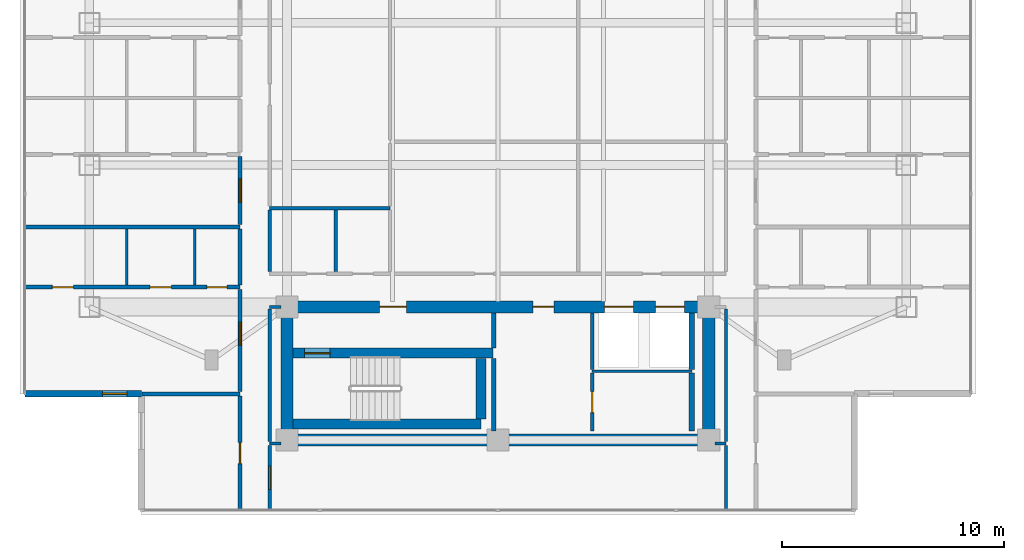
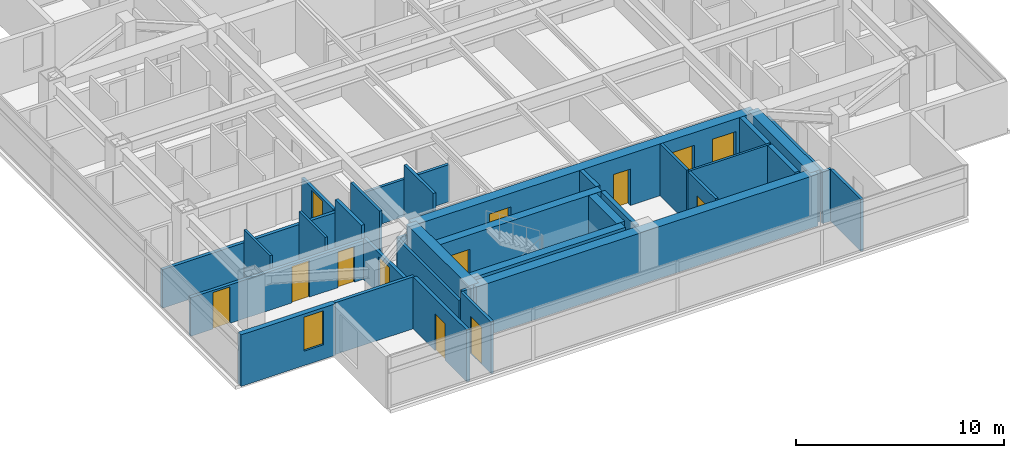
# One storey, part 12 of 25: 34 walls, 13 doors, 1 window, 14 openings.
"""IFC4 building model written with IfcOpenShell, lengths in metres."""

import ifcopenshell
import ifcopenshell.guid

model = None  # the IFC model being written
_history = None  # IfcOwnerHistory: only IFC2X3 demands one
_inside = {}  # id of a spatial element -> (the spatial element, [elements in it])
_under = {}  # id of a project, library or spatial element -> (it, [spatial elements below it])
_declared = {}  # id of a project -> (the project, [libraries it declares])
_typed = {}  # id of a type object -> (the type object, [elements of that type])
_made_of = {}  # id of a material, layer set ... -> (it, [elements and type objects made of it])


def new_model(schema):
    """Start an empty IFC model of exactly this schema.

    Asked for "IFC4X3", IfcOpenShell would pick the latest addendum, in which some entities
    have other attributes; the version numbers below select the first issue.
    IFC2X3 requires an IfcOwnerHistory on every rooted entity: one is made here for all.
    """
    global model, _history
    if schema == "IFC4X3":
        model = ifcopenshell.file(schema_version=(4, 3, 0, 0))
    else:
        model = ifcopenshell.file(schema=schema)
    _inside.clear()
    _under.clear()
    _declared.clear()
    _typed.clear()
    _made_of.clear()
    _history = None
    if model.schema == "IFC2X3":
        org = make("IfcOrganization", Name="unknown")
        user = make(
            "IfcPersonAndOrganization",
            ThePerson=make("IfcPerson", FamilyName="unknown"),
            TheOrganization=org,
        )
        app = make(
            "IfcApplication",
            ApplicationDeveloper=org,
            Version="unknown",
            ApplicationFullName="unknown",
            ApplicationIdentifier="unknown",
        )
        _history = make(
            "IfcOwnerHistory",
            OwningUser=user,
            OwningApplication=app,
            ChangeAction="ADDED",
            CreationDate=0,
        )
    return model


def make(cls, **values):
    """One entity of the class cls with the attributes given. An attribute that is None is left unset."""
    return model.create_entity(
        cls, **{name: value for name, value in values.items() if value is not None}
    )


def rooted(cls, **values):
    """An entity with a GlobalId (a new one), such as an element, a storey or a relation."""
    return make(cls, GlobalId=ifcopenshell.guid.new(), OwnerHistory=_history, **values)


def si_unit(unit_type, name, prefix=None):
    """IfcSIUnit, for example si_unit("LENGTHUNIT", "METRE", prefix="MILLI")."""
    return make("IfcSIUnit", UnitType=unit_type, Prefix=prefix, Name=name)


def assignment(units):
    """IfcUnitAssignment: the units of a project."""
    return None if units is None else make("IfcUnitAssignment", Units=units)


def point(xyz):
    """IfcCartesianPoint."""
    return None if xyz is None else make("IfcCartesianPoint", Coordinates=xyz)


def direction(xyz):
    """IfcDirection."""
    return None if xyz is None else make("IfcDirection", DirectionRatios=xyz)


def frame(location, z_axis=None, x_axis=None):
    """IfcAxis2Placement3D, a coordinate frame: its origin and axes. An axis left out is left unset."""
    return make(
        "IfcAxis2Placement3D",
        Location=point(location),
        Axis=direction(z_axis),
        RefDirection=direction(x_axis),
    )


def frame_2d(location, x_axis=None):
    """IfcAxis2Placement2D, a coordinate frame in the plane: its origin and x axis."""
    return make(
        "IfcAxis2Placement2D", Location=point(location), RefDirection=direction(x_axis)
    )


def origin():
    """The frame at (0, 0, 0) with its axes left unset."""
    return frame((0.0, 0.0, 0.0))


def place(relative_to, where):
    """IfcLocalPlacement: puts the frame where relative to a parent placement (None: the world)."""
    return make(
        "IfcLocalPlacement", PlacementRelTo=relative_to, RelativePlacement=where
    )


def context(
    kind, dimensions, precision=None, world=None, true_north=None, identifier=None
):
    """IfcGeometricRepresentationContext, for example the 3D "Model" context."""
    return make(
        "IfcGeometricRepresentationContext",
        ContextIdentifier=identifier,
        ContextType=kind,
        CoordinateSpaceDimension=dimensions,
        Precision=precision,
        WorldCoordinateSystem=world,
        TrueNorth=true_north,
    )


def subcontext(parent, identifier, kind, view, scale=None):
    """IfcGeometricRepresentationSubContext, for example "Body" below "Model"."""
    return make(
        "IfcGeometricRepresentationSubContext",
        ContextIdentifier=identifier,
        ContextType=kind,
        ParentContext=parent,
        TargetScale=scale,
        TargetView=view,
    )


def project(units=None, contexts=None):
    """IfcProject with its units and contexts."""
    return rooted(
        "IfcProject",
        Name="project",
        RepresentationContexts=contexts,
        UnitsInContext=assignment(units),
    )


def spatial(cls, under=None, at=None, **own):
    """A site, building, storey or space (cls), placed at a placement, below another one or the project."""
    s = rooted(cls, ObjectPlacement=at, **own)
    if under is not None:
        _under.setdefault(under.id(), (under, []))[1].append(s)
    return s


def profile(cls, at=None, kind="AREA", **sizes):
    """A parametric profile (cls). Its sizes go by their IFC names, for example OverallWidth=200.0."""
    return make(cls, ProfileType=kind, Position=at, **sizes)


def rectangle(**sizes):
    """IfcRectangleProfileDef."""
    return profile("IfcRectangleProfileDef", **sizes)


def extrude(swept, where, along, depth):
    """IfcExtrudedAreaSolid: the profile swept, set in the frame where, extruded along a direction by depth."""
    return make(
        "IfcExtrudedAreaSolid",
        SweptArea=swept,
        Position=where,
        ExtrudedDirection=direction(along),
        Depth=depth,
    )


def shape(context_of_items, identifier, shape_type, items):
    """IfcShapeRepresentation: the items that make up one representation, for example the "Body"."""
    return make(
        "IfcShapeRepresentation",
        ContextOfItems=context_of_items,
        RepresentationIdentifier=identifier,
        RepresentationType=shape_type,
        Items=items,
    )


def material(Name=None, Category=None):
    """IfcMaterial."""
    return make("IfcMaterial", Name=Name, Category=Category)


def layer(
    of_material, thickness, ventilated=None, Name=None, Category=None, Priority=None
):
    """IfcMaterialLayer: one layer of a wall or slab, of a material (None: an air gap)."""
    return make(
        "IfcMaterialLayer",
        Material=of_material,
        LayerThickness=thickness,
        IsVentilated=ventilated,
        Name=Name,
        Category=Category,
        Priority=Priority,
    )


def layer_set(layers, Name=None):
    """IfcMaterialLayerSet."""
    return make("IfcMaterialLayerSet", MaterialLayers=layers, LayerSetName=Name)


def made_of(thing, what):
    """Note that an element or type object is made of a material, layer set ...; save() writes the relation."""
    if what is not None:
        _made_of.setdefault(what.id(), (what, []))[1].append(thing)
    return thing


def type_object(cls, material=None, **own):
    """A type object (cls), such as IfcWallType, which elements share."""
    return made_of(rooted(cls, **own), material)


def element(
    cls,
    number,
    at=None,
    inside=None,
    cuts=None,
    type_object=None,
    material=None,
    context=None,
    identifier="Body",
    shape_type=None,
    held_by="IfcProductDefinitionShape",
    body=None,
    shapes=None,
    **own,
):
    """One element of the class cls, such as IfcWall. Its Tag is "e" and its number.

    at: its placement. inside: the storey or other place that contains it. cuts: it is an
    opening in that element (IfcRelVoidsElement). A single representation is given by context,
    identifier, shape_type and body (its items); several are given by shapes. held_by: the class
    of the entity that holds the representations. save() writes the other relations.
    """
    e = rooted(cls, Tag="e%d" % number, ObjectPlacement=at, **own)
    if body is not None:
        shapes = [shape(context, identifier, shape_type, body)]
    if shapes is not None:
        e.Representation = make(held_by, Representations=shapes)
    if inside is not None:
        _inside.setdefault(inside.id(), (inside, []))[1].append(e)
    if cuts is not None:
        rooted(
            "IfcRelVoidsElement", RelatingBuildingElement=cuts, RelatedOpeningElement=e
        )
    if type_object is not None:
        _typed.setdefault(type_object.id(), (type_object, []))[1].append(e)
    return made_of(e, material)


def fill(opening, filler):
    """IfcRelFillsElement: the door or window that sits in an opening."""
    return rooted(
        "IfcRelFillsElement",
        RelatingOpeningElement=opening,
        RelatedBuildingElement=filler,
    )


def aggregate(whole, parts):
    """IfcRelAggregates: a whole, such as a stair, and the parts it consists of."""
    return rooted("IfcRelAggregates", RelatingObject=whole, RelatedObjects=parts)


def save(model, path):
    """Write the relations noted so far, then the file.

    IfcRelAggregates (storeys below a building ...), IfcRelContainedInSpatialStructure (elements
    in a storey), IfcRelDefinesByType, IfcRelAssociatesMaterial and IfcRelDeclares: one each for
    every whole, place, type object, material and project.
    """
    for whole, parts in _under.values():
        aggregate(whole, parts)
    for where, things in _inside.values():
        rooted(
            "IfcRelContainedInSpatialStructure",
            RelatedElements=things,
            RelatingStructure=where,
        )
    for kind, things in _typed.values():
        rooted("IfcRelDefinesByType", RelatedObjects=things, RelatingType=kind)
    for what, things in _made_of.values():
        rooted("IfcRelAssociatesMaterial", RelatedObjects=things, RelatingMaterial=what)
    for by, libraries in _declared.values():
        rooted("IfcRelDeclares", RelatingContext=by, RelatedDefinitions=libraries)
    model.write(path)


model = new_model("IFC4")

# Units and contexts
model_context = context("Model", 3, precision=1e-05, world=origin(), true_north=direction((0.0, 1.0)))
body_context = subcontext(model_context, "Body", "Model", "MODEL_VIEW")
ifc_project = project(units=[si_unit("LENGTHUNIT", "METRE"), si_unit("AREAUNIT", "SQUARE_METRE"), si_unit("VOLUMEUNIT", "CUBIC_METRE"), si_unit("PLANEANGLEUNIT", "RADIAN"), si_unit("MASSUNIT", "GRAM", prefix="KILO")], contexts=[model_context])

# Site, building, storey
site_placement = place(None, origin())
site = spatial("IfcSite", under=ifc_project, at=site_placement, CompositionType="ELEMENT")
building_placement = place(site_placement, origin())
building = spatial("IfcBuilding", under=site, at=building_placement, Name="Mirazonda Arch Towers", CompositionType="ELEMENT")
storey_placement = place(building_placement, frame((0.0, 0.0, 173.89990234375)))
storey = spatial("IfcBuildingStorey", under=building, at=storey_placement, Name="L49", CompositionType="ELEMENT", Elevation=173.89990234375)

# Wall
ifc_material_1 = material(Name="Concrete C50/60", Category="concrete")
ifc_layer_1 = layer(ifc_material_1, 0.449951171875, Name="WALL-CORE-450")
ifc_layer_set_1 = layer_set([ifc_layer_1], Name="Concrete C50/60")
wall_type_1 = type_object("IfcWallType", Name="WALL-CORE-450", PredefinedType="SHEAR", material=ifc_layer_set_1)
wall_1_placement = place(storey_placement, frame((11.27001953125, 13.1201171875, 0.0), z_axis=(0.0, 0.0, 1.0), x_axis=(1.0, 0.0, 0.0)))
element("IfcWall", 1, at=wall_1_placement, inside=storey, type_object=wall_type_1, Name="L49 Stair Core Shear Wall 003", PredefinedType="SHEAR", context=body_context, shape_type="SweptSolid", body=[
    extrude(rectangle(XDim=8.4599609375, YDim=0.449951171875, at=frame_2d((4.22998046875, 0.0))), origin(), (0.0, 0.0, 1.0), 3.050048828125),
])

# Wall, opening, door
wall_2_placement = place(storey_placement, frame((11.27001953125, 16.320068359375, 0.0), z_axis=(0.0, 0.0, 1.0), x_axis=(1.0, 0.0, 0.0)))
wall_2 = element("IfcWall", 2, at=wall_2_placement, inside=storey, type_object=wall_type_1, Name="L49 Stair Core Shear Wall 007", PredefinedType="SHEAR", context=body_context, shape_type="SweptSolid", body=[
    extrude(rectangle(XDim=9.010009765625, YDim=0.449951171875, at=frame_2d((4.5048828125, 0.0))), origin(), (0.0, 0.0, 1.0), 3.050048828125),
])
opening_1_placement = place(wall_2_placement, frame((0.52001953125, 0.0, 0.0)))
opening_1 = element("IfcOpeningElement", 3, at=opening_1_placement, cuts=wall_2, Name="Opening DR-135", PredefinedType="OPENING", context=body_context, shape_type="SweptSolid", body=[
    extrude(rectangle(XDim=1.14990234375, YDim=2.199951171875, at=frame_2d((0.574951171875, 1.10009765625))), frame((0.0, 0.23486328125, 0.0), z_axis=(0.0, -1.0, 0.0), x_axis=(1.0, 0.0, 0.0)), (0.0, 0.0, 1.0), 0.469970703125),
])
ifc_material_2 = material(Name="Architectural Brushed Steel S355", Category="steel")
door_type_1 = type_object("IfcDoorType", Name="DOOR-STAIR-FD90-1150", OperationType="NOTDEFINED", PredefinedType="DOOR", material=ifc_material_2)
door_1_placement = place(opening_1_placement, origin())
door_1 = element("IfcDoor", 4, at=door_1_placement, inside=storey, type_object=door_type_1, Name="L49 Protected Exit Stair South Door", OperationType="SINGLE_SWING_LEFT", OverallHeight=2.199951171875, OverallWidth=1.14990234375, PredefinedType="DOOR", context=body_context, shape_type="SweptSolid", body=[
    extrude(rectangle(XDim=1.14990234375, YDim=2.199951171875, at=frame_2d((0.574951171875, 1.10009765625))), frame((0.0, 0.02490234375, 0.0), z_axis=(0.0, -1.0, 0.0), x_axis=(1.0, 0.0, 0.0)), (0.0, 0.0, 1.0), 0.050048828125),
])
fill(opening_1, door_1)

# Walls
wall_3_placement = place(storey_placement, frame((19.72998046875, 13.35498046875, 0.0), z_axis=(0.0, 0.0, 1.0), x_axis=(0.0, 1.0, 0.0)))
element("IfcWall", 5, at=wall_3_placement, inside=storey, type_object=wall_type_1, Name="L49 Stair Core Shear Wall 095", PredefinedType="SHEAR", context=body_context, shape_type="SweptSolid", body=[
    extrude(rectangle(XDim=2.72998046875, YDim=0.449951171875, at=frame_2d((1.364990234375, 0.0))), origin(), (0.0, 0.0, 1.0), 3.050048828125),
])
ifc_layer_2 = layer(ifc_material_1, 0.550048828125, Name="WALL-CORE-550")
ifc_layer_set_2 = layer_set([ifc_layer_2], Name="Concrete C50/60")
wall_type_2 = type_object("IfcWallType", Name="WALL-CORE-550", PredefinedType="SHEAR", material=ifc_layer_set_2)
wall_4_placement = place(storey_placement, frame((11.0, 12.39990234375, 0.0), z_axis=(0.0, 0.0, 1.0), x_axis=(1.0, 0.0, 0.0)))
element("IfcWall", 6, at=wall_4_placement, inside=storey, type_object=wall_type_2, Name="L49 T1S-S Core Shear Wall", PredefinedType="SHEAR", context=body_context, shape_type="SweptSolid", body=[
    extrude(rectangle(XDim=19.0, YDim=0.550048828125, at=frame_2d((9.5, 0.0))), origin(), (0.0, 0.0, 1.0), 3.050048828125),
])
for number, where, z_axis, x_axis, name in (
    (7, (11.0, 12.39990234375, 0.0), (0.0, 0.0, 1.0), (0.0, 1.0, 0.0), "L49 T1S-W Core Shear Wall"),
    (8, (30.0, 12.39990234375, 0.0), (0.0, 0.0, 1.0), (0.0, 1.0, 0.0), "L49 T1S-E Core Shear Wall"),
):
    element("IfcWall", number, at=place(storey_placement, frame(where, z_axis=z_axis, x_axis=x_axis)), inside=storey, type_object=wall_type_2, Name=name, PredefinedType="SHEAR", context=body_context, shape_type="SweptSolid", body=[
        extrude(rectangle(XDim=6.0, YDim=0.550048828125, at=frame_2d((3.0, 0.0))), origin(), (0.0, 0.0, 1.0), 3.050048828125),
    ])

# Wall, openings, doors
wall_5_placement = place(storey_placement, frame((11.0, 18.39990234375, 0.0), z_axis=(0.0, 0.0, 1.0), x_axis=(1.0, 0.0, 0.0)))
wall_5 = element("IfcWall", 9, at=wall_5_placement, inside=storey, type_object=wall_type_2, Name="L49 T1S-N Core Shear Wall", PredefinedType="SHEAR", context=body_context, shape_type="SweptSolid", body=[
    extrude(rectangle(XDim=19.0, YDim=0.550048828125, at=frame_2d((9.5, 0.0))), origin(), (0.0, 0.0, 1.0), 3.050048828125),
])
opening_2_placement = place(wall_5_placement, frame((4.175048828125, 0.0, 0.0)))
opening_2 = element("IfcOpeningElement", 10, at=opening_2_placement, cuts=wall_5, Name="Opening DR-117", PredefinedType="OPENING", context=body_context, shape_type="SweptSolid", body=[
    extrude(rectangle(XDim=1.199951171875, YDim=2.25, at=frame_2d((0.60009765625, 1.125))), frame((0.0, 0.284912109375, 0.0), z_axis=(0.0, -1.0, 0.0), x_axis=(1.0, 0.0, 0.0)), (0.0, 0.0, 1.0), 0.570068359375),
])
opening_3_placement = place(wall_5_placement, frame((11.074951171875, 0.0, 0.0)))
opening_3 = element("IfcOpeningElement", 11, at=opening_3_placement, cuts=wall_5, Name="Opening DR-104", PredefinedType="OPENING", context=body_context, shape_type="SweptSolid", body=[
    extrude(rectangle(XDim=0.949951171875, YDim=2.14990234375, at=frame_2d((0.47509765625, 1.074951171875))), frame((0.0, 0.284912109375, 0.0), z_axis=(0.0, -1.0, 0.0), x_axis=(1.0, 0.0, 0.0)), (0.0, 0.0, 1.0), 0.570068359375),
])
opening_4_placement = place(wall_5_placement, frame((14.300048828125, 0.0, 0.0)))
opening_4 = element("IfcOpeningElement", 12, at=opening_4_placement, cuts=wall_5, Name="Opening LD-111", PredefinedType="OPENING", context=body_context, shape_type="SweptSolid", body=[
    extrude(rectangle(XDim=1.300048828125, YDim=2.300048828125, at=frame_2d((0.64990234375, 1.14990234375))), frame((0.0, 0.284912109375, 0.0), z_axis=(0.0, -1.0, 0.0), x_axis=(1.0, 0.0, 0.0)), (0.0, 0.0, 1.0), 0.570068359375),
])
opening_5_placement = place(wall_5_placement, frame((16.60009765625, 0.0, 0.0)))
opening_5 = element("IfcOpeningElement", 13, at=opening_5_placement, cuts=wall_5, Name="Opening LD-111", PredefinedType="OPENING", context=body_context, shape_type="SweptSolid", body=[
    extrude(rectangle(XDim=1.300048828125, YDim=2.300048828125, at=frame_2d((0.64990234375, 1.14990234375))), frame((0.0, 0.284912109375, 0.0), z_axis=(0.0, -1.0, 0.0), x_axis=(1.0, 0.0, 0.0)), (0.0, 0.0, 1.0), 0.570068359375),
])
door_type_2 = type_object("IfcDoorType", Name="DOOR-FFL-FD90-1200", OperationType="NOTDEFINED", PredefinedType="DOOR", material=ifc_material_2)
door_2_placement = place(opening_2_placement, origin())
door_2 = element("IfcDoor", 14, at=door_2_placement, inside=storey, type_object=door_type_2, Name="L49 South Core Stair & Lift Lobby Door", OperationType="SINGLE_SWING_RIGHT", OverallHeight=2.25, OverallWidth=1.199951171875, PredefinedType="DOOR", context=body_context, shape_type="SweptSolid", body=[
    extrude(rectangle(XDim=1.199951171875, YDim=2.25, at=frame_2d((0.60009765625, 1.125))), frame((0.0, 0.02490234375, 0.0), z_axis=(0.0, -1.0, 0.0), x_axis=(1.0, 0.0, 0.0)), (0.0, 0.0, 1.0), 0.050048828125),
])
fill(opening_2, door_2)
door_type_3 = type_object("IfcDoorType", Name="DOOR-LIFT-LAND-1300", OperationType="NOTDEFINED", PredefinedType="DOOR", material=ifc_material_2)
door_3_placement = place(opening_4_placement, origin())
door_3 = element("IfcDoor", 15, at=door_3_placement, inside=storey, type_object=door_type_3, Name="L49 Lift Landing Sliding Door PL-T1H1", OperationType="DOUBLE_DOOR_SLIDING", OverallHeight=2.300048828125, OverallWidth=1.300048828125, PredefinedType="DOOR", context=body_context, shape_type="SweptSolid", body=[
    extrude(rectangle(XDim=1.300048828125, YDim=2.300048828125, at=frame_2d((0.64990234375, 1.14990234375))), frame((0.0, 0.02490234375, 0.0), z_axis=(0.0, -1.0, 0.0), x_axis=(1.0, 0.0, 0.0)), (0.0, 0.0, 1.0), 0.050048828125),
])
fill(opening_4, door_3)
door_4_placement = place(opening_5_placement, origin())
door_4 = element("IfcDoor", 16, at=door_4_placement, inside=storey, type_object=door_type_3, Name="L49 Lift Landing Sliding Door PL-T1H2", OperationType="DOUBLE_DOOR_SLIDING", OverallHeight=2.300048828125, OverallWidth=1.300048828125, PredefinedType="DOOR", context=body_context, shape_type="SweptSolid", body=[
    extrude(rectangle(XDim=1.300048828125, YDim=2.300048828125, at=frame_2d((0.64990234375, 1.14990234375))), frame((0.0, 0.02490234375, 0.0), z_axis=(0.0, -1.0, 0.0), x_axis=(1.0, 0.0, 0.0)), (0.0, 0.0, 1.0), 0.050048828125),
])
fill(opening_5, door_4)
door_type_4 = type_object("IfcDoorType", Name="DOOR-ROOM-950", OperationType="NOTDEFINED", PredefinedType="DOOR", material=ifc_material_2)
door_5_placement = place(opening_3_placement, origin())
door_5 = element("IfcDoor", 17, at=door_5_placement, inside=storey, type_object=door_type_4, Name="L49 Residents Wine Tasting Lounge Door", OperationType="SINGLE_SWING_RIGHT", OverallHeight=2.14990234375, OverallWidth=0.949951171875, PredefinedType="DOOR", context=body_context, shape_type="SweptSolid", body=[
    extrude(rectangle(XDim=0.949951171875, YDim=2.14990234375, at=frame_2d((0.47509765625, 1.074951171875))), frame((0.0, 0.02490234375, 0.0), z_axis=(0.0, -1.0, 0.0), x_axis=(1.0, 0.0, 0.0)), (0.0, 0.0, 1.0), 0.050048828125),
])
fill(opening_3, door_5)

# Wall, opening, window
ifc_material_3 = material(Name="Precast Concrete C40/50", Category="concrete")
ifc_layer_3 = layer(ifc_material_3, 0.280029296875, Name="WALL-EXT-WALL-280")
ifc_layer_set_3 = layer_set([ifc_layer_3], Name="Precast Concrete C40/50")
wall_type_3 = type_object("IfcWallType", Name="WALL-EXT-WALL-280", PredefinedType="SOLIDWALL", material=ifc_layer_set_3)
wall_6_placement = place(storey_placement, frame((-0.81005859375, 14.487060546875, 0.0), z_axis=(0.0, 0.0, 1.0), x_axis=(1.0, 0.0, 0.0)))
wall_6 = element("IfcWall", 18, at=wall_6_placement, inside=storey, type_object=wall_type_3, Name="L49 T1 Corner Notch Return Wall WL-L49-T1-CSW2", PredefinedType="SOLIDWALL", context=body_context, shape_type="SweptSolid", body=[
    extrude(rectangle(XDim=5.2451171875, YDim=0.280029296875, at=frame_2d((2.62255859375, 0.0))), origin(), (0.0, 0.0, 1.0), 3.030029296875),
])
opening_6_placement = place(wall_6_placement, frame((3.4951171875, 0.0, 0.85009765625)))
opening_6 = element("IfcOpeningElement", 19, at=opening_6_placement, cuts=wall_6, Name="Opening WN-108", PredefinedType="OPENING", context=body_context, shape_type="SweptSolid", body=[
    extrude(rectangle(XDim=1.10009765625, YDim=2.0, at=frame_2d((0.550048828125, 1.0))), frame((0.0, 0.14990234375, 0.0), z_axis=(0.0, -1.0, 0.0), x_axis=(1.0, 0.0, 0.0)), (0.0, 0.0, 1.0), 0.300048828125),
])
ifc_material_4 = material(Name="Insulated Low-E Solar Glass", Category="glass")
window_type = type_object("IfcWindowType", Name="WIN-NOTCH-1100x2000", PartitioningType="SINGLE_PANEL", PredefinedType="WINDOW", material=ifc_material_4)
window_placement = place(opening_6_placement, origin())
window = element("IfcWindow", 20, at=window_placement, inside=storey, type_object=window_type, Name="L49 Punched Facade Window WN-L49-T1-CSW2", OverallHeight=2.0, OverallWidth=1.10009765625, PartitioningType="SINGLE_PANEL", PredefinedType="WINDOW", context=body_context, shape_type="SweptSolid", body=[
    extrude(rectangle(XDim=1.10009765625, YDim=2.0, at=frame_2d((0.550048828125, 1.0))), frame((0.0, 0.030029296875, 0.0), z_axis=(0.0, -1.0, 0.0), x_axis=(1.0, 0.0, 0.0)), (0.0, 0.0, 1.0), 0.06005859375),
])
fill(opening_6, window)

# Walls
ifc_material_5 = material(Name="Concrete C40/50", Category="concrete")
ifc_layer_4 = layer(ifc_material_5, 0.219970703125, Name="WALL-FFL-220")
ifc_layer_set_4 = layer_set([ifc_layer_4], Name="Concrete C40/50")
wall_type_4 = type_object("IfcWallType", Name="WALL-FFL-220", PredefinedType="SOLIDWALL", material=ifc_layer_set_4)
wall_7_placement = place(storey_placement, frame((20.31494140625, 12.800048828125, 0.0), z_axis=(0.0, 0.0, 1.0), x_axis=(0.0, 1.0, 0.0)))
element("IfcWall", 21, at=wall_7_placement, inside=storey, type_object=wall_type_4, Name="L49 Interior Partition 097", PredefinedType="SOLIDWALL", context=body_context, shape_type="SweptSolid", body=[
    extrude(rectangle(XDim=3.284912109375, YDim=0.219970703125, at=frame_2d((1.642578125, 0.0))), origin(), (0.0, 0.0, 1.0), 3.050048828125),
])
wall_8_placement = place(storey_placement, frame((20.31494140625, 16.554931640625, 0.0), z_axis=(0.0, 0.0, 1.0), x_axis=(0.0, 1.0, 0.0)))
element("IfcWall", 22, at=wall_8_placement, inside=storey, type_object=wall_type_4, Name="L49 Interior Partition 098", PredefinedType="SOLIDWALL", context=body_context, shape_type="SweptSolid", body=[
    extrude(rectangle(XDim=1.574951171875, YDim=0.219970703125, at=frame_2d((0.78759765625, 0.0))), origin(), (0.0, 0.0, 1.0), 3.050048828125),
])
ifc_material_6 = material(Name="Fire-Rated Gypsum Stud Partition")
ifc_layer_5 = layer(ifc_material_6, 0.14990234375, Name="WALL-PART-CORR-150")
ifc_layer_set_5 = layer_set([ifc_layer_5], Name="Fire-Rated Gypsum Stud Partition")
wall_type_5 = type_object("IfcWallType", Name="WALL-PART-CORR-150", PredefinedType="PARTITIONING", material=ifc_layer_set_5)
for number, where, z_axis, x_axis, name in (
    (23, (10.219970703125, 12.25, 0.0), (0.0, 0.0, 1.0), (1.0, 0.0, 0.0), "L49 Interior Partition 001"),
    (24, (30.27001953125, 12.25, 0.0), (0.0, 0.0, 1.0), (1.0, 0.0, 0.0), "L49 Interior Partition 002"),
):
    element("IfcWall", number, at=place(storey_placement, frame(where, z_axis=z_axis, x_axis=x_axis)), inside=storey, type_object=wall_type_5, Name=name, PredefinedType="PARTITIONING", context=body_context, shape_type="SweptSolid", body=[
        extrude(rectangle(XDim=0.510009765625, YDim=0.14990234375, at=frame_2d((0.2548828125, 0.0))), origin(), (0.0, 0.0, 1.0), 3.050048828125),
    ])
wall_9_placement = place(storey_placement, frame((10.219970703125, 18.39990234375, 0.0), z_axis=(0.0, 0.0, 1.0), x_axis=(1.0, 0.0, 0.0)))
element("IfcWall", 25, at=wall_9_placement, inside=storey, type_object=wall_type_5, Name="L49 Interior Partition 011", PredefinedType="PARTITIONING", context=body_context, shape_type="SweptSolid", body=[
    extrude(rectangle(XDim=0.510009765625, YDim=0.14990234375, at=frame_2d((0.2548828125, 0.0))), origin(), (0.0, 0.0, 1.0), 2.442138671875),
])
wall_10_placement = place(storey_placement, frame((10.219970703125, 22.85009765625, 0.0), z_axis=(0.0, 0.0, 1.0), x_axis=(1.0, 0.0, 0.0)))
element("IfcWall", 26, at=wall_10_placement, inside=storey, type_object=wall_type_5, Name="L49 Interior Partition 025", PredefinedType="PARTITIONING", context=body_context, shape_type="SweptSolid", body=[
    extrude(rectangle(XDim=5.419921875, YDim=0.14990234375, at=frame_2d((2.7099609375, 0.0))), origin(), (0.0, 0.0, 1.0), 2.18603515625),
])

# Wall, opening, door
wall_11_placement = place(storey_placement, frame((10.219970703125, 9.241943359375, 0.0), z_axis=(0.0, 0.0, 1.0), x_axis=(0.0, 1.0, 0.0)))
wall_11 = element("IfcWall", 27, at=wall_11_placement, inside=storey, type_object=wall_type_5, Name="L49 Interior Partition 082", PredefinedType="PARTITIONING", context=body_context, shape_type="SweptSolid", body=[
    extrude(rectangle(XDim=2.923095703125, YDim=0.14990234375, at=frame_2d((1.46142578125, 0.0))), origin(), (0.0, 0.0, 1.0), 3.050048828125),
])
opening_7_placement = place(wall_11_placement, frame((0.9365234375, 0.0, 0.0)))
opening_7 = element("IfcOpeningElement", 28, at=opening_7_placement, cuts=wall_11, Name="Opening DR-121", PredefinedType="OPENING", context=body_context, shape_type="SweptSolid", body=[
    extrude(rectangle(XDim=1.050048828125, YDim=2.199951171875, at=frame_2d((0.52490234375, 1.10009765625))), frame((0.0, 0.0849609375, 0.0), z_axis=(0.0, -1.0, 0.0), x_axis=(1.0, 0.0, 0.0)), (0.0, 0.0, 1.0), 0.169921875),
])
door_type_5 = type_object("IfcDoorType", Name="DOOR-SUITE-FD60-1050", OperationType="NOTDEFINED", PredefinedType="DOOR", material=ifc_material_2)
door_6_placement = place(opening_7_placement, origin())
door_6 = element("IfcDoor", 29, at=door_6_placement, inside=storey, type_object=door_type_5, Name="L49 South Panoramic Study Gallery Door", OperationType="SINGLE_SWING_LEFT", OverallHeight=2.199951171875, OverallWidth=1.050048828125, PredefinedType="DOOR", context=body_context, shape_type="SweptSolid", body=[
    extrude(rectangle(XDim=1.050048828125, YDim=2.199951171875, at=frame_2d((0.52490234375, 1.10009765625))), frame((0.0, 0.02490234375, 0.0), z_axis=(0.0, -1.0, 0.0), x_axis=(1.0, 0.0, 0.0)), (0.0, 0.0, 1.0), 0.050048828125),
])
fill(opening_7, door_6)

# Walls
wall_12_placement = place(storey_placement, frame((10.219970703125, 12.3349609375, 0.0), z_axis=(0.0, 0.0, 1.0), x_axis=(0.0, 1.0, 0.0)))
element("IfcWall", 30, at=wall_12_placement, inside=storey, type_object=wall_type_5, Name="L49 Interior Partition 083", PredefinedType="PARTITIONING", context=body_context, shape_type="SweptSolid", body=[
    extrude(rectangle(XDim=5.97998046875, YDim=0.14990234375, at=frame_2d((2.989990234375, 0.0))), origin(), (0.0, 0.0, 1.0), 2.442138671875),
])
for number, where, z_axis, x_axis, name in (
    (31, (10.219970703125, 19.985107421875, 0.0), (0.0, 0.0, 1.0), (0.0, 1.0, 0.0), "L49 Interior Partition 084"),
    (32, (13.199951171875, 19.985107421875, 0.0), (0.0, 0.0, 1.0), (0.0, 1.0, 0.0), "L49 Interior Partition 089"),
):
    element("IfcWall", number, at=place(storey_placement, frame(where, z_axis=z_axis, x_axis=x_axis)), inside=storey, type_object=wall_type_5, Name=name, PredefinedType="PARTITIONING", context=body_context, shape_type="SweptSolid", body=[
        extrude(rectangle(XDim=2.77978515625, YDim=0.14990234375, at=frame_2d((1.389892578125, 0.0))), origin(), (0.0, 0.0, 1.0), 3.050048828125),
    ])

# Wall, opening, door
wall_13_placement = place(storey_placement, frame((24.75, 12.800048828125, 0.0), z_axis=(0.0, 0.0, 1.0), x_axis=(0.0, 1.0, 0.0)))
wall_13 = element("IfcWall", 33, at=wall_13_placement, inside=storey, type_object=wall_type_5, Name="L49 Interior Partition 102", PredefinedType="PARTITIONING", context=body_context, shape_type="SweptSolid", body=[
    extrude(rectangle(XDim=2.62744140625, YDim=0.14990234375, at=frame_2d((1.313720703125, 0.0))), origin(), (0.0, 0.0, 1.0), 3.050048828125),
])
opening_8_placement = place(wall_13_placement, frame((0.838623046875, 0.0, 0.0)))
opening_8 = element("IfcOpeningElement", 34, at=opening_8_placement, cuts=wall_13, Name="Opening DR-104", PredefinedType="OPENING", context=body_context, shape_type="SweptSolid", body=[
    extrude(rectangle(XDim=0.949951171875, YDim=2.14990234375, at=frame_2d((0.47509765625, 1.074951171875))), frame((0.0, 0.0849609375, 0.0), z_axis=(0.0, -1.0, 0.0), x_axis=(1.0, 0.0, 0.0)), (0.0, 0.0, 1.0), 0.169921875),
])
door_7_placement = place(opening_8_placement, origin())
door_7 = element("IfcDoor", 35, at=door_7_placement, inside=storey, type_object=door_type_4, Name="L49 Residents Private Archive Study Door", OperationType="SINGLE_SWING_LEFT", OverallHeight=2.14990234375, OverallWidth=0.949951171875, PredefinedType="DOOR", context=body_context, shape_type="SweptSolid", body=[
    extrude(rectangle(XDim=0.949951171875, YDim=2.14990234375, at=frame_2d((0.47509765625, 1.074951171875))), frame((0.0, 0.02490234375, 0.0), z_axis=(0.0, -1.0, 0.0), x_axis=(1.0, 0.0, 0.0)), (0.0, 0.0, 1.0), 0.050048828125),
])
fill(opening_8, door_7)

# Walls
wall_14_placement = place(storey_placement, frame((24.75, 15.572509765625, 0.0), z_axis=(0.0, 0.0, 1.0), x_axis=(0.0, 1.0, 0.0)))
element("IfcWall", 36, at=wall_14_placement, inside=storey, type_object=wall_type_5, Name="L49 Interior Partition 103", PredefinedType="PARTITIONING", context=body_context, shape_type="SweptSolid", body=[
    extrude(rectangle(XDim=2.557373046875, YDim=0.14990234375, at=frame_2d((1.27880859375, 0.0))), origin(), (0.0, 0.0, 1.0), 3.050048828125),
])
wall_15_placement = place(storey_placement, frame((30.780029296875, 9.241943359375, 0.0), z_axis=(0.0, 0.0, 1.0), x_axis=(0.0, 1.0, 0.0)))
element("IfcWall", 37, at=wall_15_placement, inside=storey, type_object=wall_type_5, Name="L49 Interior Partition 111", PredefinedType="PARTITIONING", context=body_context, shape_type="SweptSolid", body=[
    extrude(rectangle(XDim=2.923095703125, YDim=0.14990234375, at=frame_2d((1.46142578125, 0.0))), origin(), (0.0, 0.0, 1.0), 3.050048828125),
])
wall_16_placement = place(storey_placement, frame((30.780029296875, 12.3349609375, 0.0), z_axis=(0.0, 0.0, 1.0), x_axis=(0.0, 1.0, 0.0)))
element("IfcWall", 38, at=wall_16_placement, inside=storey, type_object=wall_type_5, Name="L49 Interior Partition 112", PredefinedType="PARTITIONING", context=body_context, shape_type="SweptSolid", body=[
    extrude(rectangle(XDim=5.97998046875, YDim=0.14990234375, at=frame_2d((2.989990234375, 0.0))), origin(), (0.0, 0.0, 1.0), 2.442138671875),
])
ifc_material_7 = material(Name="Fire-Rated Gypsum Twin-Stud Assembly")
ifc_layer_6 = layer(ifc_material_7, 0.179931640625, Name="WALL-PART-DEMISE-180")
ifc_layer_set_6 = layer_set([ifc_layer_6], Name="Fire-Rated Gypsum Twin-Stud Assembly")
wall_type_6 = type_object("IfcWallType", Name="WALL-PART-DEMISE-180", PredefinedType="PARTITIONING", material=ifc_layer_set_6)
wall_17_placement = place(storey_placement, frame((4.455078125, 14.487060546875, 0.0), z_axis=(0.0, 0.0, 1.0), x_axis=(1.0, 0.0, 0.0)))
element("IfcWall", 39, at=wall_17_placement, inside=storey, type_object=wall_type_6, Name="L49 Interior Partition 004", PredefinedType="PARTITIONING", context=body_context, shape_type="SweptSolid", body=[
    extrude(rectangle(XDim=4.4248046875, YDim=0.179931640625, at=frame_2d((2.21240234375, 0.0))), origin(), (0.0, 0.0, 1.0), 3.050048828125),
])

# Wall, openings, doors
wall_18_placement = place(storey_placement, frame((-0.81005859375, 19.2880859375, 0.0), z_axis=(0.0, 0.0, 1.0), x_axis=(1.0, 0.0, 0.0)))
wall_18 = element("IfcWall", 40, at=wall_18_placement, inside=storey, type_object=wall_type_6, Name="L49 Interior Partition 014", PredefinedType="PARTITIONING", context=body_context, shape_type="SweptSolid", body=[
    extrude(rectangle(XDim=9.68994140625, YDim=0.179931640625, at=frame_2d((4.844970703125, 0.0))), origin(), (0.0, 0.0, 1.0), 2.26904296875),
])
opening_9_placement = place(wall_18_placement, frame((1.239990234375, 0.0, 0.0)))
opening_9 = element("IfcOpeningElement", 41, at=opening_9_placement, cuts=wall_18, Name="Opening DR-104", PredefinedType="OPENING", context=body_context, shape_type="SweptSolid", body=[
    extrude(rectangle(XDim=0.949951171875, YDim=2.14990234375, at=frame_2d((0.47509765625, 1.074951171875))), frame((0.0, 0.099853515625, 0.0), z_axis=(0.0, -1.0, 0.0), x_axis=(1.0, 0.0, 0.0)), (0.0, 0.0, 1.0), 0.199951171875),
])
opening_10_placement = place(wall_18_placement, frame((5.64501953125, 0.0, 0.0)))
opening_10 = element("IfcOpeningElement", 42, at=opening_10_placement, cuts=wall_18, Name="Opening DR-104", PredefinedType="OPENING", context=body_context, shape_type="SweptSolid", body=[
    extrude(rectangle(XDim=0.949951171875, YDim=2.14990234375, at=frame_2d((0.47509765625, 1.074951171875))), frame((0.0, 0.099853515625, 0.0), z_axis=(0.0, -1.0, 0.0), x_axis=(1.0, 0.0, 0.0)), (0.0, 0.0, 1.0), 0.199951171875),
])
opening_11_placement = place(wall_18_placement, frame((8.199951171875, 0.0, 0.0)))
opening_11 = element("IfcOpeningElement", 43, at=opening_11_placement, cuts=wall_18, Name="Opening DR-120", PredefinedType="OPENING", context=body_context, shape_type="SweptSolid", body=[
    extrude(rectangle(XDim=0.89990234375, YDim=2.10009765625, at=frame_2d((0.449951171875, 1.050048828125))), frame((0.0, 0.099853515625, 0.0), z_axis=(0.0, -1.0, 0.0), x_axis=(1.0, 0.0, 0.0)), (0.0, 0.0, 1.0), 0.199951171875),
])
door_8_placement = place(opening_9_placement, origin())
door_8 = element("IfcDoor", 44, at=door_8_placement, inside=storey, type_object=door_type_4, Name="L49 Residence 1 Principal Bedroom Door", OperationType="SINGLE_SWING_RIGHT", OverallHeight=2.14990234375, OverallWidth=0.949951171875, PredefinedType="DOOR", context=body_context, shape_type="SweptSolid", body=[
    extrude(rectangle(XDim=0.949951171875, YDim=2.14990234375, at=frame_2d((0.47509765625, 1.074951171875))), frame((0.0, 0.02490234375, 0.0), z_axis=(0.0, -1.0, 0.0), x_axis=(1.0, 0.0, 0.0)), (0.0, 0.0, 1.0), 0.050048828125),
])
fill(opening_9, door_8)
door_9_placement = place(opening_10_placement, origin())
door_9 = element("IfcDoor", 45, at=door_9_placement, inside=storey, type_object=door_type_4, Name="L49 Residence 1 Fitted Kitchen Door", OperationType="SINGLE_SWING_LEFT", OverallHeight=2.14990234375, OverallWidth=0.949951171875, PredefinedType="DOOR", context=body_context, shape_type="SweptSolid", body=[
    extrude(rectangle(XDim=0.949951171875, YDim=2.14990234375, at=frame_2d((0.47509765625, 1.074951171875))), frame((0.0, 0.02490234375, 0.0), z_axis=(0.0, -1.0, 0.0), x_axis=(1.0, 0.0, 0.0)), (0.0, 0.0, 1.0), 0.050048828125),
])
fill(opening_10, door_9)
door_type_6 = type_object("IfcDoorType", Name="DOOR-WC-900", OperationType="NOTDEFINED", PredefinedType="DOOR", material=ifc_material_2)
door_10_placement = place(opening_11_placement, origin())
door_10 = element("IfcDoor", 46, at=door_10_placement, inside=storey, type_object=door_type_6, Name="L49 Residence 1 Bathroom Door", OperationType="SINGLE_SWING_RIGHT", OverallHeight=2.10009765625, OverallWidth=0.89990234375, PredefinedType="DOOR", context=body_context, shape_type="SweptSolid", body=[
    extrude(rectangle(XDim=0.89990234375, YDim=2.10009765625, at=frame_2d((0.449951171875, 1.050048828125))), frame((0.0, 0.02490234375, 0.0), z_axis=(0.0, -1.0, 0.0), x_axis=(1.0, 0.0, 0.0)), (0.0, 0.0, 1.0), 0.050048828125),
])
fill(opening_11, door_10)

# Wall
wall_19_placement = place(storey_placement, frame((-0.81005859375, 22.008056640625, 0.0), z_axis=(0.0, 0.0, 1.0), x_axis=(1.0, 0.0, 0.0)))
element("IfcWall", 47, at=wall_19_placement, inside=storey, type_object=wall_type_6, Name="L49 Interior Partition 021", PredefinedType="PARTITIONING", context=body_context, shape_type="SweptSolid", body=[
    extrude(rectangle(XDim=9.68994140625, YDim=0.179931640625, at=frame_2d((4.844970703125, 0.0))), origin(), (0.0, 0.0, 1.0), 2.26904296875),
])

# Wall, opening, door
wall_20_placement = place(storey_placement, frame((8.8798828125, 9.241943359375, 0.0), z_axis=(0.0, 0.0, 1.0), x_axis=(0.0, 1.0, 0.0)))
wall_20 = element("IfcWall", 48, at=wall_20_placement, inside=storey, type_object=wall_type_6, Name="L49 Interior Partition 072", PredefinedType="PARTITIONING", context=body_context, shape_type="SweptSolid", body=[
    extrude(rectangle(XDim=5.14501953125, YDim=0.179931640625, at=frame_2d((2.572509765625, 0.0))), origin(), (0.0, 0.0, 1.0), 3.050048828125),
])
opening_12_placement = place(wall_20_placement, frame((2.097412109375, 0.0, 0.0)))
opening_12 = element("IfcOpeningElement", 49, at=opening_12_placement, cuts=wall_20, Name="Opening DR-104", PredefinedType="OPENING", context=body_context, shape_type="SweptSolid", body=[
    extrude(rectangle(XDim=0.949951171875, YDim=2.14990234375, at=frame_2d((0.47509765625, 1.074951171875))), frame((0.0, 0.099853515625, 0.0), z_axis=(0.0, -1.0, 0.0), x_axis=(1.0, 0.0, 0.0)), (0.0, 0.0, 1.0), 0.199951171875),
])
door_11_placement = place(opening_12_placement, origin())
door_11 = element("IfcDoor", 50, at=door_11_placement, inside=storey, type_object=door_type_4, Name="L49 South Panoramic Study Alcove West Door", OperationType="SINGLE_SWING_RIGHT", OverallHeight=2.14990234375, OverallWidth=0.949951171875, PredefinedType="DOOR", context=body_context, shape_type="SweptSolid", body=[
    extrude(rectangle(XDim=0.949951171875, YDim=2.14990234375, at=frame_2d((0.47509765625, 1.074951171875))), frame((0.0, 0.02490234375, 0.0), z_axis=(0.0, -1.0, 0.0), x_axis=(1.0, 0.0, 0.0)), (0.0, 0.0, 1.0), 0.050048828125),
])
fill(opening_12, door_11)

wall_21_placement = place(storey_placement, frame((8.8798828125, 14.5869140625, 0.0), z_axis=(0.0, 0.0, 1.0), x_axis=(0.0, 1.0, 0.0)))
wall_21 = element("IfcWall", 51, at=wall_21_placement, inside=storey, type_object=wall_type_6, Name="L49 Interior Partition 073", PredefinedType="PARTITIONING", context=body_context, shape_type="SweptSolid", body=[
    extrude(rectangle(XDim=4.60107421875, YDim=0.179931640625, at=frame_2d((2.300537109375, 0.0))), origin(), (0.0, 0.0, 1.0), 2.442138671875),
])
opening_13_placement = place(wall_21_placement, frame((2.075439453125, 0.0, 0.0)))
opening_13 = element("IfcOpeningElement", 52, at=opening_13_placement, cuts=wall_21, Name="Opening DR-121", PredefinedType="OPENING", context=body_context, shape_type="SweptSolid", body=[
    extrude(rectangle(XDim=1.050048828125, YDim=2.199951171875, at=frame_2d((0.52490234375, 1.10009765625))), frame((0.0, 0.099853515625, 0.0), z_axis=(0.0, -1.0, 0.0), x_axis=(1.0, 0.0, 0.0)), (0.0, 0.0, 1.0), 0.199951171875),
])
door_12_placement = place(opening_13_placement, origin())
door_12 = element("IfcDoor", 53, at=door_12_placement, inside=storey, type_object=door_type_5, Name="L49 Residence 1 Living & Dining Salon Door", OperationType="SINGLE_SWING_LEFT", OverallHeight=2.199951171875, OverallWidth=1.050048828125, PredefinedType="DOOR", context=body_context, shape_type="SweptSolid", body=[
    extrude(rectangle(XDim=1.050048828125, YDim=2.199951171875, at=frame_2d((0.52490234375, 1.10009765625))), frame((0.0, 0.02490234375, 0.0), z_axis=(0.0, -1.0, 0.0), x_axis=(1.0, 0.0, 0.0)), (0.0, 0.0, 1.0), 0.050048828125),
])
fill(opening_13, door_12)

# Wall
wall_22_placement = place(storey_placement, frame((8.8798828125, 19.387939453125, 0.0), z_axis=(0.0, 0.0, 1.0), x_axis=(0.0, 1.0, 0.0)))
element("IfcWall", 54, at=wall_22_placement, inside=storey, type_object=wall_type_6, Name="L49 Interior Partition 074", PredefinedType="PARTITIONING", context=body_context, shape_type="SweptSolid", body=[
    extrude(rectangle(XDim=2.52001953125, YDim=0.179931640625, at=frame_2d((1.260009765625, 0.0))), origin(), (0.0, 0.0, 1.0), 3.050048828125),
])

# Wall, opening, door
wall_23_placement = place(storey_placement, frame((8.8798828125, 22.10791015625, 0.0), z_axis=(0.0, 0.0, 1.0), x_axis=(0.0, 1.0, 0.0)))
wall_23 = element("IfcWall", 55, at=wall_23_placement, inside=storey, type_object=wall_type_6, Name="L49 Interior Partition 075", PredefinedType="PARTITIONING", context=body_context, shape_type="SweptSolid", body=[
    extrude(rectangle(XDim=3.065185546875, YDim=0.179931640625, at=frame_2d((1.53271484375, 0.0))), origin(), (0.0, 0.0, 1.0), 2.34619140625),
])
opening_14_placement = place(wall_23_placement, frame((1.007568359375, 0.0, 0.0)))
opening_14 = element("IfcOpeningElement", 56, at=opening_14_placement, cuts=wall_23, Name="Opening DR-121", PredefinedType="OPENING", context=body_context, shape_type="SweptSolid", body=[
    extrude(rectangle(XDim=1.050048828125, YDim=2.199951171875, at=frame_2d((0.52490234375, 1.10009765625))), frame((0.0, 0.099853515625, 0.0), z_axis=(0.0, -1.0, 0.0), x_axis=(1.0, 0.0, 0.0)), (0.0, 0.0, 1.0), 0.199951171875),
])
door_13_placement = place(opening_14_placement, origin())
door_13 = element("IfcDoor", 57, at=door_13_placement, inside=storey, type_object=door_type_5, Name="L49 Residence 2 Living & Dining Salon Door", OperationType="SINGLE_SWING_LEFT", OverallHeight=2.199951171875, OverallWidth=1.050048828125, PredefinedType="DOOR", context=body_context, shape_type="SweptSolid", body=[
    extrude(rectangle(XDim=1.050048828125, YDim=2.199951171875, at=frame_2d((0.52490234375, 1.10009765625))), frame((0.0, 0.02490234375, 0.0), z_axis=(0.0, -1.0, 0.0), x_axis=(1.0, 0.0, 0.0)), (0.0, 0.0, 1.0), 0.050048828125),
])
fill(opening_14, door_13)

# Walls
ifc_material_8 = material(Name="Acoustic Fire-Rated Gypsum Partition")
ifc_layer_7 = layer(ifc_material_8, 0.125, Name="WALL-PART-UNIT-125")
ifc_layer_set_7 = layer_set([ifc_layer_7], Name="Acoustic Fire-Rated Gypsum Partition")
wall_type_7 = type_object("IfcWallType", Name="WALL-PART-UNIT-125", PredefinedType="PARTITIONING", material=ifc_layer_set_7)
wall_24_placement = place(storey_placement, frame((24.75, 15.5, 0.0), z_axis=(0.0, 0.0, 1.0), x_axis=(1.0, 0.0, 0.0)))
element("IfcWall", 58, at=wall_24_placement, inside=storey, type_object=wall_type_7, Name="L49 Interior Partition 006", PredefinedType="PARTITIONING", context=body_context, shape_type="SweptSolid", body=[
    extrude(rectangle(XDim=4.5, YDim=0.125, at=frame_2d((2.25, 0.0))), origin(), (0.0, 0.0, 1.0), 3.050048828125),
])
for number, where, z_axis, x_axis, name in (
    (59, (3.780029296875, 19.387939453125, 0.0), (0.0, 0.0, 1.0), (0.0, 1.0, 0.0), "L49 Interior Partition 064"),
    (60, (6.840087890625, 19.387939453125, 0.0), (0.0, 0.0, 1.0), (0.0, 1.0, 0.0), "L49 Interior Partition 068"),
):
    element("IfcWall", number, at=place(storey_placement, frame(where, z_axis=z_axis, x_axis=x_axis)), inside=storey, type_object=wall_type_7, Name=name, PredefinedType="PARTITIONING", context=body_context, shape_type="SweptSolid", body=[
        extrude(rectangle(XDim=2.52001953125, YDim=0.125, at=frame_2d((1.260009765625, 0.0))), origin(), (0.0, 0.0, 1.0), 3.050048828125),
    ])
ifc_layer_8 = layer(ifc_material_5, 0.25, Name="WALL-SHAFT-250")
ifc_layer_set_8 = layer_set([ifc_layer_8], Name="Concrete C40/50")
wall_type_8 = type_object("IfcWallType", Name="WALL-SHAFT-250", PredefinedType="SOLIDWALL", material=ifc_layer_set_8)
wall_25_placement = place(storey_placement, frame((29.22509765625, 12.800048828125, 0.0), z_axis=(0.0, 0.0, 1.0), x_axis=(0.0, 1.0, 0.0)))
element("IfcWall", 61, at=wall_25_placement, inside=storey, type_object=wall_type_8, Name="L49 Interior Partition 107", PredefinedType="SOLIDWALL", context=body_context, shape_type="SweptSolid", body=[
    extrude(rectangle(XDim=2.62744140625, YDim=0.25, at=frame_2d((1.313720703125, 0.0))), origin(), (0.0, 0.0, 1.0), 3.050048828125),
])
wall_26_placement = place(storey_placement, frame((29.22509765625, 15.572509765625, 0.0), z_axis=(0.0, 0.0, 1.0), x_axis=(0.0, 1.0, 0.0)))
element("IfcWall", 62, at=wall_26_placement, inside=storey, type_object=wall_type_8, Name="L49 Interior Partition 108", PredefinedType="SOLIDWALL", context=body_context, shape_type="SweptSolid", body=[
    extrude(rectangle(XDim=2.557373046875, YDim=0.25, at=frame_2d((1.27880859375, 0.0))), origin(), (0.0, 0.0, 1.0), 3.050048828125),
])

save(model, "model.ifc")
